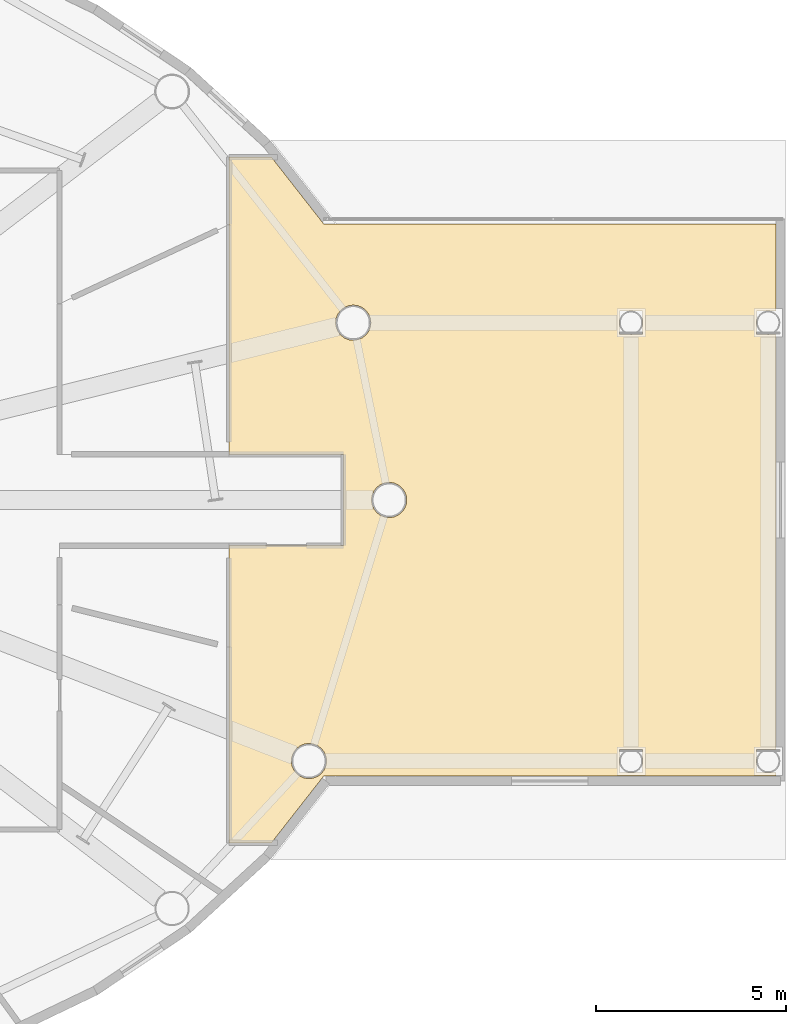
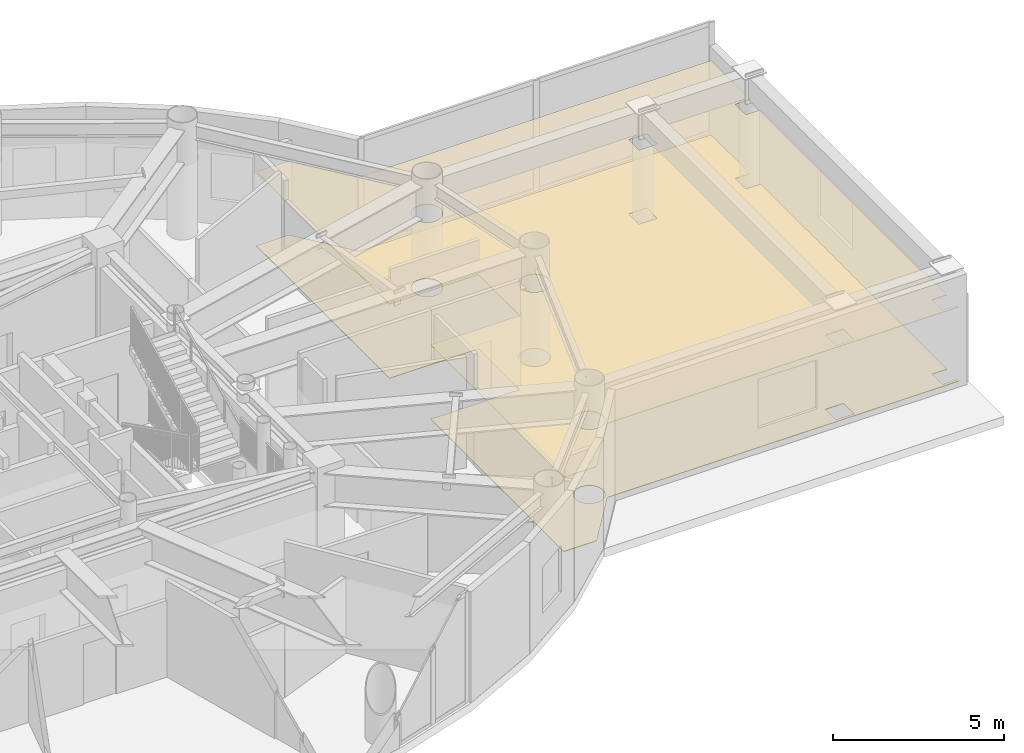
# One storey, part 26 of 26: 2 coverings.
"""IFC4 building model written with IfcOpenShell, lengths in metres."""

from ifc_helpers import new_model, si_unit, direction, frame, origin, place, context, subcontext, project, spatial, polyline, outline, extrude, material, layer, layer_set, type_object, element, save


model = new_model("IFC4")

# Units and contexts
model_context = context("Model", 3, precision=1e-05, world=origin(), true_north=direction((0.0, 1.0)))
body_context = subcontext(model_context, "Body", "Model", "MODEL_VIEW")
ifc_project = project(units=[si_unit("LENGTHUNIT", "METRE"), si_unit("AREAUNIT", "SQUARE_METRE"), si_unit("VOLUMEUNIT", "CUBIC_METRE"), si_unit("PLANEANGLEUNIT", "RADIAN"), si_unit("MASSUNIT", "GRAM", prefix="KILO")], contexts=[model_context])

# Site, building, storey
site_placement = place(None, origin())
site = spatial("IfcSite", under=ifc_project, at=site_placement, CompositionType="ELEMENT")
building_placement = place(site_placement, origin())
building = spatial("IfcBuilding", under=site, at=building_placement, Name="Linh Dai School and Residence Tower", CompositionType="ELEMENT")
storey_placement = place(building_placement, frame((0.0, 0.0, 351.0)))
storey = spatial("IfcBuildingStorey", under=building, at=storey_placement, Name="L87", CompositionType="ELEMENT", Elevation=351.0)

# Coverings
ifc_material_1 = material(Name="Mineral Fibre Acoustic Suspended Ceiling", Category="masonry")
ifc_layer_1 = layer(ifc_material_1, 0.02001953125)
ifc_layer_set_1 = layer_set([ifc_layer_1], Name="Mineral Fibre Acoustic Suspended Ceiling")
covering_type_1 = type_object("IfcCoveringType", Name="COV-CEIL-AC-20", PredefinedType="CEILING", material=ifc_layer_set_1)
covering_1_placement = place(storey_placement, frame((0.0, 0.0, 2.64990234375)))
element("IfcCovering", 1, at=covering_1_placement, inside=storey, type_object=covering_type_1, Name="L87 Cantilevered Broadcast Mast Sky Observatory Suspended Ceiling", PredefinedType="CEILING", context=body_context, shape_type="SweptSolid", body=[
    extrude(outline(polyline([(65.85009765625, 34.25), (65.85009765625, 31.959716796875), (65.344970703125, 31.959716796875), (65.344970703125, 31.349609375), (65.85009765625, 31.349609375), (65.85009765625, 20.452392578125), (65.344970703125, 20.452392578125), (65.344970703125, 19.842529296875), (65.85009765625, 19.842529296875), (65.85009765625, 19.75), (53.979736328125, 19.75), (52.6103515625, 18.0), (51.5, 18.0), (51.5, 25.800048828125), (54.5, 25.800048828125), (54.5, 28.199951171875), (51.5, 28.199951171875), (51.5, 36.0), (52.6103515625, 36.0), (53.979736328125, 34.25), (65.85009765625, 34.25)]), holes=[polyline([(61.7451171875, 20.452392578125), (61.7451171875, 19.842529296875), (62.35498046875, 19.842529296875), (62.35498046875, 20.452392578125), (61.7451171875, 20.452392578125)]), polyline([(61.7451171875, 31.959716796875), (61.7451171875, 31.349609375), (62.35498046875, 31.349609375), (62.35498046875, 31.959716796875), (61.7451171875, 31.959716796875)]), polyline([(56.10009765625, 26.76904296875), (56.146240234375, 26.88037109375), (56.162109375, 27.0), (56.146240234375, 27.11962890625), (56.10009765625, 27.23095703125), (56.026611328125, 27.32666015625), (55.930908203125, 27.400146484375), (55.819580078125, 27.4462890625), (55.699951171875, 27.4619140625), (55.580322265625, 27.4462890625), (55.468994140625, 27.400146484375), (55.373291015625, 27.32666015625), (55.2998046875, 27.23095703125), (55.253662109375, 27.11962890625), (55.238037109375, 27.0), (55.253662109375, 26.88037109375), (55.2998046875, 26.76904296875), (55.373291015625, 26.67333984375), (55.468994140625, 26.599853515625), (55.580322265625, 26.5537109375), (55.699951171875, 26.5380859375), (55.819580078125, 26.5537109375), (55.930908203125, 26.599853515625), (56.026611328125, 26.67333984375), (56.10009765625, 26.76904296875)]), polyline([(55.15771484375, 31.423583984375), (55.2041015625, 31.53515625), (55.2197265625, 31.65478515625), (55.2041015625, 31.7744140625), (55.15771484375, 31.8857421875), (55.08447265625, 31.9814453125), (54.98876953125, 32.0546875), (54.877197265625, 32.10107421875), (54.7578125, 32.11669921875), (54.63818359375, 32.10107421875), (54.526611328125, 32.0546875), (54.430908203125, 31.9814453125), (54.357666015625, 31.8857421875), (54.3115234375, 31.7744140625), (54.295654296875, 31.65478515625), (54.3115234375, 31.53515625), (54.357666015625, 31.423583984375), (54.430908203125, 31.327880859375), (54.526611328125, 31.254638671875), (54.63818359375, 31.20849609375), (54.7578125, 31.192626953125), (54.877197265625, 31.20849609375), (54.98876953125, 31.254638671875), (55.08447265625, 31.327880859375), (55.15771484375, 31.423583984375)]), polyline([(54.041259765625, 20.02783203125), (54.05712890625, 20.1474609375), (54.041259765625, 20.26708984375), (53.9951171875, 20.37841796875), (53.921630859375, 20.47412109375), (53.826171875, 20.547607421875), (53.714599609375, 20.59375), (53.59521484375, 20.609619140625), (53.4755859375, 20.59375), (53.364013671875, 20.547607421875), (53.268310546875, 20.47412109375), (53.195068359375, 20.37841796875), (53.148681640625, 20.26708984375), (53.133056640625, 20.1474609375), (53.148681640625, 20.02783203125), (53.195068359375, 19.91650390625), (53.268310546875, 19.82080078125), (53.364013671875, 19.747314453125), (53.4755859375, 19.701171875), (53.59521484375, 19.685546875), (53.714599609375, 19.701171875), (53.826171875, 19.747314453125), (53.921630859375, 19.82080078125), (53.9951171875, 19.91650390625), (54.041259765625, 20.02783203125)])]), origin(), (0.0, 0.0, 1.0), 0.02001953125),
])
ifc_material_2 = material(Name="Polished Terrazzo Floor Finish", Category="masonry")
ifc_layer_2 = layer(ifc_material_2, 0.02490234375)
ifc_layer_set_2 = layer_set([ifc_layer_2], Name="Polished Terrazzo Floor Finish")
covering_type_2 = type_object("IfcCoveringType", Name="COV-FLR-TRZ-25", PredefinedType="FLOORING", material=ifc_layer_set_2)
covering_2_placement = place(storey_placement, origin())
element("IfcCovering", 2, at=covering_2_placement, inside=storey, type_object=covering_type_2, Name="L87 Cantilevered Broadcast Mast Sky Observatory Floor Finish", PredefinedType="FLOORING", context=body_context, shape_type="SweptSolid", body=[
    extrude(outline(polyline([(65.85009765625, 34.25), (65.85009765625, 31.959716796875), (65.344970703125, 31.959716796875), (65.344970703125, 31.349609375), (65.85009765625, 31.349609375), (65.85009765625, 20.452392578125), (65.344970703125, 20.452392578125), (65.344970703125, 19.842529296875), (65.85009765625, 19.842529296875), (65.85009765625, 19.75), (53.979736328125, 19.75), (52.6103515625, 18.0), (51.5, 18.0), (51.5, 25.800048828125), (54.5, 25.800048828125), (54.5, 28.199951171875), (51.5, 28.199951171875), (51.5, 36.0), (52.6103515625, 36.0), (53.979736328125, 34.25), (65.85009765625, 34.25)]), holes=[polyline([(61.7451171875, 20.452392578125), (61.7451171875, 19.842529296875), (62.35498046875, 19.842529296875), (62.35498046875, 20.452392578125), (61.7451171875, 20.452392578125)]), polyline([(61.7451171875, 31.959716796875), (61.7451171875, 31.349609375), (62.35498046875, 31.349609375), (62.35498046875, 31.959716796875), (61.7451171875, 31.959716796875)]), polyline([(56.10009765625, 26.76904296875), (56.146240234375, 26.88037109375), (56.162109375, 27.0), (56.146240234375, 27.11962890625), (56.10009765625, 27.23095703125), (56.026611328125, 27.32666015625), (55.930908203125, 27.400146484375), (55.819580078125, 27.4462890625), (55.699951171875, 27.4619140625), (55.580322265625, 27.4462890625), (55.468994140625, 27.400146484375), (55.373291015625, 27.32666015625), (55.2998046875, 27.23095703125), (55.253662109375, 27.11962890625), (55.238037109375, 27.0), (55.253662109375, 26.88037109375), (55.2998046875, 26.76904296875), (55.373291015625, 26.67333984375), (55.468994140625, 26.599853515625), (55.580322265625, 26.5537109375), (55.699951171875, 26.5380859375), (55.819580078125, 26.5537109375), (55.930908203125, 26.599853515625), (56.026611328125, 26.67333984375), (56.10009765625, 26.76904296875)]), polyline([(55.15771484375, 31.423583984375), (55.2041015625, 31.53515625), (55.2197265625, 31.65478515625), (55.2041015625, 31.7744140625), (55.15771484375, 31.8857421875), (55.08447265625, 31.9814453125), (54.98876953125, 32.0546875), (54.877197265625, 32.10107421875), (54.7578125, 32.11669921875), (54.63818359375, 32.10107421875), (54.526611328125, 32.0546875), (54.430908203125, 31.9814453125), (54.357666015625, 31.8857421875), (54.3115234375, 31.7744140625), (54.295654296875, 31.65478515625), (54.3115234375, 31.53515625), (54.357666015625, 31.423583984375), (54.430908203125, 31.327880859375), (54.526611328125, 31.254638671875), (54.63818359375, 31.20849609375), (54.7578125, 31.192626953125), (54.877197265625, 31.20849609375), (54.98876953125, 31.254638671875), (55.08447265625, 31.327880859375), (55.15771484375, 31.423583984375)]), polyline([(54.041259765625, 20.02783203125), (54.05712890625, 20.1474609375), (54.041259765625, 20.26708984375), (53.9951171875, 20.37841796875), (53.921630859375, 20.47412109375), (53.826171875, 20.547607421875), (53.714599609375, 20.59375), (53.59521484375, 20.609619140625), (53.4755859375, 20.59375), (53.364013671875, 20.547607421875), (53.268310546875, 20.47412109375), (53.195068359375, 20.37841796875), (53.148681640625, 20.26708984375), (53.133056640625, 20.1474609375), (53.148681640625, 20.02783203125), (53.195068359375, 19.91650390625), (53.268310546875, 19.82080078125), (53.364013671875, 19.747314453125), (53.4755859375, 19.701171875), (53.59521484375, 19.685546875), (53.714599609375, 19.701171875), (53.826171875, 19.747314453125), (53.921630859375, 19.82080078125), (53.9951171875, 19.91650390625), (54.041259765625, 20.02783203125)])]), origin(), (0.0, 0.0, 1.0), 0.02001953125),
])

save(model, "model.ifc")
